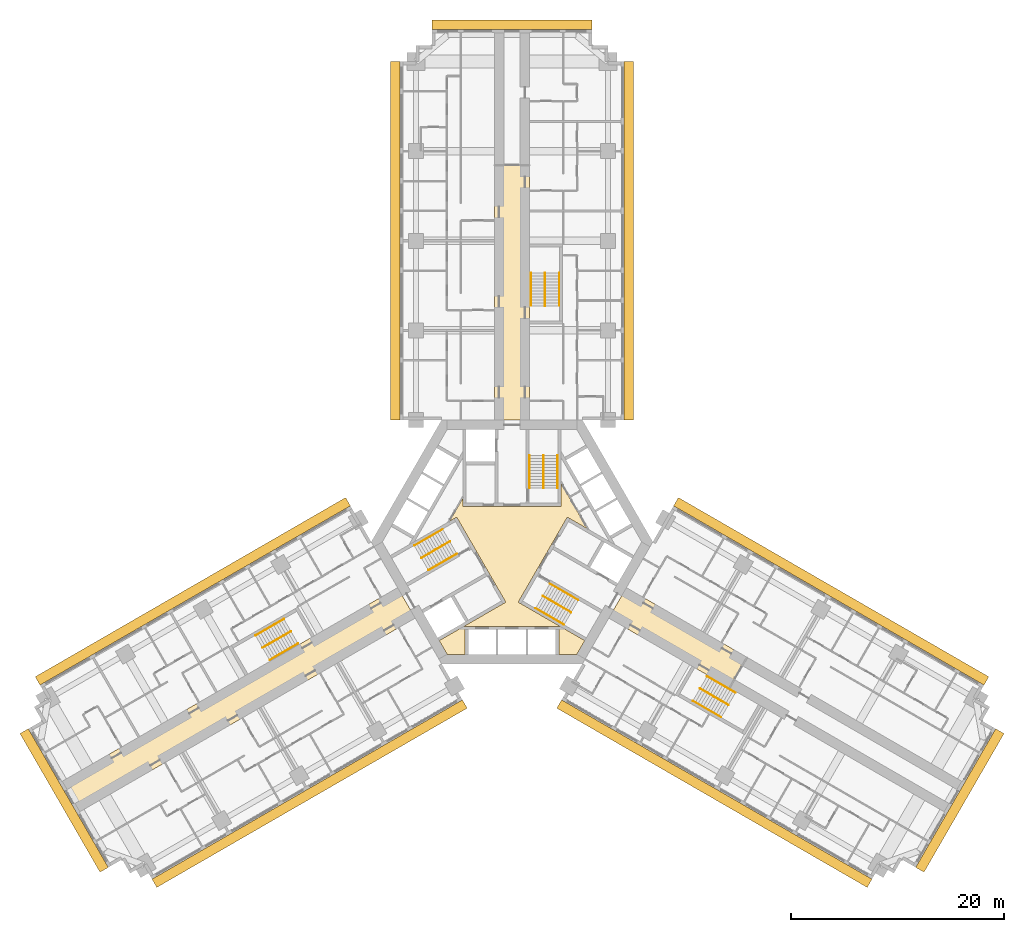
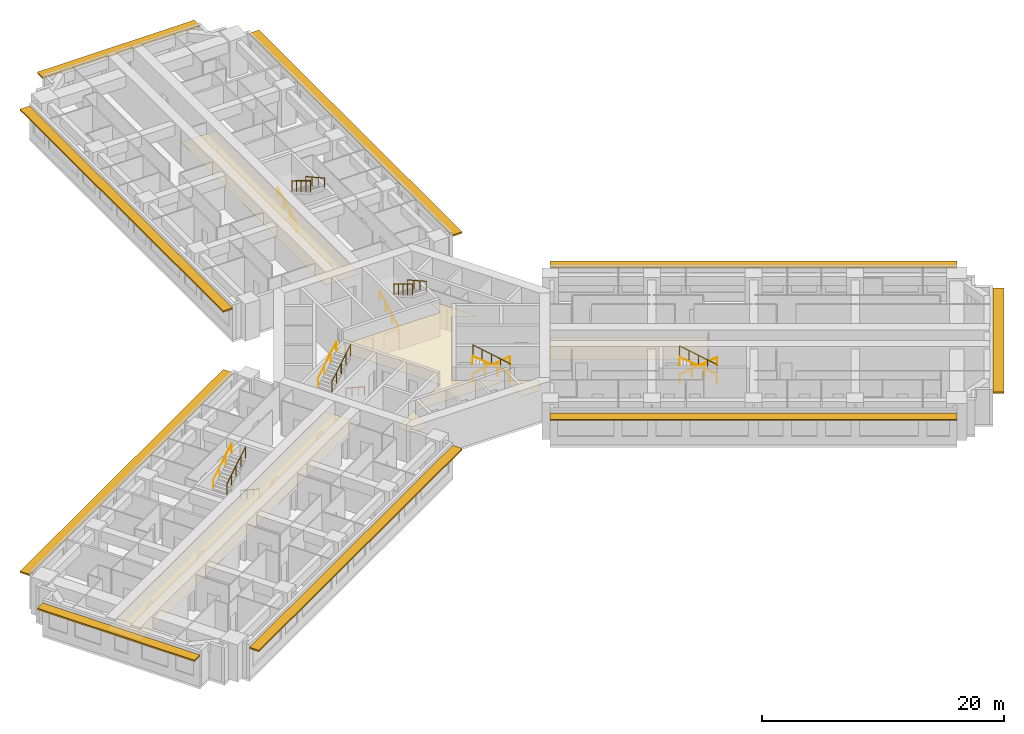
# One storey, part 15 of 15: 18 railings, 4 coverings, 3 shading devices.
"""IFC4 building model written with IfcOpenShell, lengths in metres."""

import ifcopenshell
import ifcopenshell.guid

model = None  # the IFC model being written
_history = None  # IfcOwnerHistory: only IFC2X3 demands one
_inside = {}  # id of a spatial element -> (the spatial element, [elements in it])
_under = {}  # id of a project, library or spatial element -> (it, [spatial elements below it])
_declared = {}  # id of a project -> (the project, [libraries it declares])
_typed = {}  # id of a type object -> (the type object, [elements of that type])
_made_of = {}  # id of a material, layer set ... -> (it, [elements and type objects made of it])


def new_model(schema):
    """Start an empty IFC model of exactly this schema.

    Asked for "IFC4X3", IfcOpenShell would pick the latest addendum, in which some entities
    have other attributes; the version numbers below select the first issue.
    IFC2X3 requires an IfcOwnerHistory on every rooted entity: one is made here for all.
    """
    global model, _history
    if schema == "IFC4X3":
        model = ifcopenshell.file(schema_version=(4, 3, 0, 0))
    else:
        model = ifcopenshell.file(schema=schema)
    _inside.clear()
    _under.clear()
    _declared.clear()
    _typed.clear()
    _made_of.clear()
    _history = None
    if model.schema == "IFC2X3":
        org = make("IfcOrganization", Name="unknown")
        user = make(
            "IfcPersonAndOrganization",
            ThePerson=make("IfcPerson", FamilyName="unknown"),
            TheOrganization=org,
        )
        app = make(
            "IfcApplication",
            ApplicationDeveloper=org,
            Version="unknown",
            ApplicationFullName="unknown",
            ApplicationIdentifier="unknown",
        )
        _history = make(
            "IfcOwnerHistory",
            OwningUser=user,
            OwningApplication=app,
            ChangeAction="ADDED",
            CreationDate=0,
        )
    return model


def make(cls, **values):
    """One entity of the class cls with the attributes given. An attribute that is None is left unset."""
    return model.create_entity(
        cls, **{name: value for name, value in values.items() if value is not None}
    )


def rooted(cls, **values):
    """An entity with a GlobalId (a new one), such as an element, a storey or a relation."""
    return make(cls, GlobalId=ifcopenshell.guid.new(), OwnerHistory=_history, **values)


def si_unit(unit_type, name, prefix=None):
    """IfcSIUnit, for example si_unit("LENGTHUNIT", "METRE", prefix="MILLI")."""
    return make("IfcSIUnit", UnitType=unit_type, Prefix=prefix, Name=name)


def assignment(units):
    """IfcUnitAssignment: the units of a project."""
    return None if units is None else make("IfcUnitAssignment", Units=units)


def point(xyz):
    """IfcCartesianPoint."""
    return None if xyz is None else make("IfcCartesianPoint", Coordinates=xyz)


def direction(xyz):
    """IfcDirection."""
    return None if xyz is None else make("IfcDirection", DirectionRatios=xyz)


def frame(location, z_axis=None, x_axis=None):
    """IfcAxis2Placement3D, a coordinate frame: its origin and axes. An axis left out is left unset."""
    return make(
        "IfcAxis2Placement3D",
        Location=point(location),
        Axis=direction(z_axis),
        RefDirection=direction(x_axis),
    )


def frame_2d(location, x_axis=None):
    """IfcAxis2Placement2D, a coordinate frame in the plane: its origin and x axis."""
    return make(
        "IfcAxis2Placement2D", Location=point(location), RefDirection=direction(x_axis)
    )


def origin():
    """The frame at (0, 0, 0) with its axes left unset."""
    return frame((0.0, 0.0, 0.0))


def origin_2d():
    """The frame at (0, 0) in the plane with its x axis left unset."""
    return frame_2d((0.0, 0.0))


def place(relative_to, where):
    """IfcLocalPlacement: puts the frame where relative to a parent placement (None: the world)."""
    return make(
        "IfcLocalPlacement", PlacementRelTo=relative_to, RelativePlacement=where
    )


def context(
    kind, dimensions, precision=None, world=None, true_north=None, identifier=None
):
    """IfcGeometricRepresentationContext, for example the 3D "Model" context."""
    return make(
        "IfcGeometricRepresentationContext",
        ContextIdentifier=identifier,
        ContextType=kind,
        CoordinateSpaceDimension=dimensions,
        Precision=precision,
        WorldCoordinateSystem=world,
        TrueNorth=true_north,
    )


def subcontext(parent, identifier, kind, view, scale=None):
    """IfcGeometricRepresentationSubContext, for example "Body" below "Model"."""
    return make(
        "IfcGeometricRepresentationSubContext",
        ContextIdentifier=identifier,
        ContextType=kind,
        ParentContext=parent,
        TargetScale=scale,
        TargetView=view,
    )


def project(units=None, contexts=None):
    """IfcProject with its units and contexts."""
    return rooted(
        "IfcProject",
        Name="project",
        RepresentationContexts=contexts,
        UnitsInContext=assignment(units),
    )


def spatial(cls, under=None, at=None, **own):
    """A site, building, storey or space (cls), placed at a placement, below another one or the project."""
    s = rooted(cls, ObjectPlacement=at, **own)
    if under is not None:
        _under.setdefault(under.id(), (under, []))[1].append(s)
    return s


def polyline(points):
    """IfcPolyline through the points."""
    return make("IfcPolyline", Points=[point(p) for p in points])


def profile(cls, at=None, kind="AREA", **sizes):
    """A parametric profile (cls). Its sizes go by their IFC names, for example OverallWidth=200.0."""
    return make(cls, ProfileType=kind, Position=at, **sizes)


def rectangle(**sizes):
    """IfcRectangleProfileDef."""
    return profile("IfcRectangleProfileDef", **sizes)


def circle(**sizes):
    """IfcCircleProfileDef."""
    return profile("IfcCircleProfileDef", **sizes)


def outline(outer, holes=None, kind="AREA"):
    """IfcArbitraryClosedProfileDef: a profile drawn as a closed curve; with holes, ...WithVoids."""
    if holes is None:
        return make("IfcArbitraryClosedProfileDef", ProfileType=kind, OuterCurve=outer)
    return make(
        "IfcArbitraryProfileDefWithVoids",
        ProfileType=kind,
        OuterCurve=outer,
        InnerCurves=holes,
    )


def extrude(swept, where, along, depth):
    """IfcExtrudedAreaSolid: the profile swept, set in the frame where, extruded along a direction by depth."""
    return make(
        "IfcExtrudedAreaSolid",
        SweptArea=swept,
        Position=where,
        ExtrudedDirection=direction(along),
        Depth=depth,
    )


def shape(context_of_items, identifier, shape_type, items):
    """IfcShapeRepresentation: the items that make up one representation, for example the "Body"."""
    return make(
        "IfcShapeRepresentation",
        ContextOfItems=context_of_items,
        RepresentationIdentifier=identifier,
        RepresentationType=shape_type,
        Items=items,
    )


def material(Name=None, Category=None):
    """IfcMaterial."""
    return make("IfcMaterial", Name=Name, Category=Category)


def layer(
    of_material, thickness, ventilated=None, Name=None, Category=None, Priority=None
):
    """IfcMaterialLayer: one layer of a wall or slab, of a material (None: an air gap)."""
    return make(
        "IfcMaterialLayer",
        Material=of_material,
        LayerThickness=thickness,
        IsVentilated=ventilated,
        Name=Name,
        Category=Category,
        Priority=Priority,
    )


def layer_set(layers, Name=None):
    """IfcMaterialLayerSet."""
    return make("IfcMaterialLayerSet", MaterialLayers=layers, LayerSetName=Name)


def made_of(thing, what):
    """Note that an element or type object is made of a material, layer set ...; save() writes the relation."""
    if what is not None:
        _made_of.setdefault(what.id(), (what, []))[1].append(thing)
    return thing


def type_object(cls, material=None, **own):
    """A type object (cls), such as IfcWallType, which elements share."""
    return made_of(rooted(cls, **own), material)


def element(
    cls,
    number,
    at=None,
    inside=None,
    cuts=None,
    type_object=None,
    material=None,
    context=None,
    identifier="Body",
    shape_type=None,
    held_by="IfcProductDefinitionShape",
    body=None,
    shapes=None,
    **own,
):
    """One element of the class cls, such as IfcWall. Its Tag is "e" and its number.

    at: its placement. inside: the storey or other place that contains it. cuts: it is an
    opening in that element (IfcRelVoidsElement). A single representation is given by context,
    identifier, shape_type and body (its items); several are given by shapes. held_by: the class
    of the entity that holds the representations. save() writes the other relations.
    """
    e = rooted(cls, Tag="e%d" % number, ObjectPlacement=at, **own)
    if body is not None:
        shapes = [shape(context, identifier, shape_type, body)]
    if shapes is not None:
        e.Representation = make(held_by, Representations=shapes)
    if inside is not None:
        _inside.setdefault(inside.id(), (inside, []))[1].append(e)
    if cuts is not None:
        rooted(
            "IfcRelVoidsElement", RelatingBuildingElement=cuts, RelatedOpeningElement=e
        )
    if type_object is not None:
        _typed.setdefault(type_object.id(), (type_object, []))[1].append(e)
    return made_of(e, material)


def aggregate(whole, parts):
    """IfcRelAggregates: a whole, such as a stair, and the parts it consists of."""
    return rooted("IfcRelAggregates", RelatingObject=whole, RelatedObjects=parts)


def save(model, path):
    """Write the relations noted so far, then the file.

    IfcRelAggregates (storeys below a building ...), IfcRelContainedInSpatialStructure (elements
    in a storey), IfcRelDefinesByType, IfcRelAssociatesMaterial and IfcRelDeclares: one each for
    every whole, place, type object, material and project.
    """
    for whole, parts in _under.values():
        aggregate(whole, parts)
    for where, things in _inside.values():
        rooted(
            "IfcRelContainedInSpatialStructure",
            RelatedElements=things,
            RelatingStructure=where,
        )
    for kind, things in _typed.values():
        rooted("IfcRelDefinesByType", RelatedObjects=things, RelatingType=kind)
    for what, things in _made_of.values():
        rooted("IfcRelAssociatesMaterial", RelatedObjects=things, RelatingMaterial=what)
    for by, libraries in _declared.values():
        rooted("IfcRelDeclares", RelatingContext=by, RelatedDefinitions=libraries)
    model.write(path)


model = new_model("IFC4")

# Units and contexts
model_context = context("Model", 3, precision=1e-05, world=origin(), true_north=direction((0.0, 1.0)))
body_context = subcontext(model_context, "Body", "Model", "MODEL_VIEW")
ifc_project = project(units=[si_unit("LENGTHUNIT", "METRE"), si_unit("AREAUNIT", "SQUARE_METRE"), si_unit("VOLUMEUNIT", "CUBIC_METRE"), si_unit("PLANEANGLEUNIT", "RADIAN"), si_unit("MASSUNIT", "GRAM", prefix="KILO")], contexts=[model_context])

# Site, building, storey
site_placement = place(None, origin())
site = spatial("IfcSite", under=ifc_project, at=site_placement, CompositionType="ELEMENT")
building_placement = place(site_placement, origin())
building = spatial("IfcBuilding", under=site, at=building_placement, Name="Impinga Residences", CompositionType="ELEMENT")
storey_placement = place(building_placement, frame((0.0, 0.0, 86.0)))
storey = spatial("IfcBuildingStorey", under=building, at=storey_placement, Name="L21", CompositionType="ELEMENT", Elevation=86.0)

# Coverings
ifc_material_1 = material(Name="Plasterboard 15 mm on steel hangers", Category="steel")
ifc_layer_1 = layer(ifc_material_1, 0.014892578125)
ifc_layer_set_1 = layer_set([ifc_layer_1], Name="Plasterboard 15 mm on steel hangers")
covering_type_1 = type_object("IfcCoveringType", Name="CL1 corridor ceiling, 15 mm plasterboard on hangers", PredefinedType="CEILING", material=ifc_layer_set_1)
covering_1_placement = place(storey_placement, frame((0.0, 0.0, 2.39990234375)))
element("IfcCovering", 1, at=covering_1_placement, inside=storey, type_object=covering_type_1, Name="Corridor ceiling CL1 L21-N00", PredefinedType="CEILING", context=body_context, shape_type="SweptSolid", body=[
    extrude(outline(polyline([(1.64990234375, 11.431640625), (-1.64990234375, 11.431640625), (-1.64990234375, 35.281982421875), (1.64990234375, 35.281982421875), (1.64990234375, 11.431640625)])), origin(), (0.0, 0.0, 1.0), 0.01513671875),
])
covering_2_placement = place(storey_placement, frame((0.0, 0.0, 2.39990234375)))
element("IfcCovering", 2, at=covering_2_placement, inside=storey, type_object=covering_type_1, Name="Corridor ceiling CL1 L21-W00", PredefinedType="CEILING", context=body_context, shape_type="SweptSolid", body=[
    extrude(outline(polyline([(-9.074951171875, -7.144775390625), (-10.72509765625, -4.286865234375), (-42.16162109375, -22.436767578125), (-40.51171875, -25.294677734375), (-9.074951171875, -7.144775390625)])), origin(), (0.0, 0.0, 1.0), 0.01513671875),
])
covering_3_placement = place(storey_placement, frame((0.0, 0.0, 2.39990234375)))
element("IfcCovering", 3, at=covering_3_placement, inside=storey, type_object=covering_type_1, Name="Corridor ceiling CL1 L21-E00", PredefinedType="CEILING", context=body_context, shape_type="SweptSolid", body=[
    extrude(outline(polyline([(9.074951171875, -7.144775390625), (10.72509765625, -4.286865234375), (21.999267578125, -10.796142578125), (20.349365234375, -13.654052734375), (9.074951171875, -7.144775390625)])), origin(), (0.0, 0.0, 1.0), 0.01513671875),
])
ifc_material_2 = material(Name="Mineral fibre tiles 20 mm on exposed grid", Category="mineral fibre")
ifc_layer_2 = layer(ifc_material_2, 0.02001953125)
ifc_layer_set_2 = layer_set([ifc_layer_2], Name="CL2 lift lobby ceiling, 20 mm mineral fibre tiles")
covering_type_2 = type_object("IfcCoveringType", Name="CL2 lift lobby ceiling, 20 mm mineral fibre tiles", PredefinedType="CEILING", material=ifc_layer_set_2)
covering_4_placement = place(storey_placement, frame((0.0, 0.0, 2.39990234375)))
element("IfcCovering", 4, at=covering_4_placement, inside=storey, type_object=covering_type_2, Name="Lift lobby ceiling CL2 L21-C01", PredefinedType="CEILING", context=body_context, shape_type="SweptSolid", body=[
    extrude(outline(polyline([(6.080322265625, -10.531494140625), (4.39990234375, -10.531494140625), (4.39990234375, -7.931640625), (-4.39990234375, -7.931640625), (-4.39990234375, -10.531494140625), (-6.080322265625, -10.531494140625), (-6.820556640625, -9.24951171875), (-0.583984375, -5.648681640625), (-5.183837890625, 2.318603515625), (-5.846923828125, 1.935791015625), (-4.60009765625, 4.095703125), (-4.60009765625, 3.330078125), (4.60009765625, 3.330078125), (4.60009765625, 5.49560546875), (7.059326171875, 1.23583984375), (5.183837890625, 2.318603515625), (0.583984375, -5.648681640625), (6.820556640625, -9.24951171875), (6.080322265625, -10.531494140625)])), origin(), (0.0, 0.0, 1.0), 0.02001953125),
])

# Railings
ifc_material_3 = material(Name="Steel guard, powder coated", Category="steel")
railing_type_1 = type_object("IfcRailingType", Name="GR1 stair guard 1100", PredefinedType="GUARDRAIL", material=ifc_material_3)
railing_1_placement = place(storey_placement, frame((2.949951171875, 8.110107421875, 1.875)))
element("IfcRailing", 5, at=railing_1_placement, inside=storey, type_object=railing_type_1, Name="Stair guard GR1 ST1 L21", PredefinedType="GUARDRAIL", context=body_context, shape_type="SweptSolid", body=[
    extrude(circle(Radius=0.02392578125, at=origin_2d()), frame((0.0, 0.0, 1.076171875), z_axis=(0.0, -0.854177636135, 0.519981313056), x_axis=(1.0, 0.0, 0.0)), (0.0, 0.0, 1.0), 3.60595703125),
    extrude(circle(Radius=0.02099609375, at=origin_2d()), origin(), (0.0, 0.0, 1.0), 1.052001953125),
    extrude(circle(Radius=0.02099609375, at=origin_2d()), frame((0.0, -0.77001953125, 0.46875)), (0.0, 0.0, 1.0), 1.052001953125),
    extrude(circle(Radius=0.02099609375, at=origin_2d()), frame((0.0, -1.5400390625, 0.9375)), (0.0, 0.0, 1.0), 1.052001953125),
    extrude(circle(Radius=0.02099609375, at=origin_2d()), frame((0.0, -2.31005859375, 1.40625)), (0.0, 0.0, 1.0), 1.052001953125),
    extrude(circle(Radius=0.02099609375, at=origin_2d()), frame((0.0, -3.080078125, 1.875)), (0.0, 0.0, 1.0), 1.052001953125),
])
railing_2_placement = place(storey_placement, frame((-8.49853515625, -1.500244140625, 1.875)))
element("IfcRailing", 6, at=railing_2_placement, inside=storey, type_object=railing_type_1, Name="Stair guard GR1 ST2 L21", PredefinedType="GUARDRAIL", context=body_context, shape_type="SweptSolid", body=[
    extrude(circle(Radius=0.02392578125, at=origin_2d()), frame((0.0, 0.0, 1.076171875), z_axis=(0.739746383972, 0.427084037168, 0.519975492303), x_axis=(-0.499992328818, 0.866029832698, 0.0)), (0.0, 0.0, 1.0), 3.60595703125),
    extrude(circle(Radius=0.02099609375, at=origin_2d()), origin(), (0.0, 0.0, 1.0), 1.052001953125),
    extrude(circle(Radius=0.02099609375, at=origin_2d()), frame((0.6669921875, 0.385009765625, 0.46875)), (0.0, 0.0, 1.0), 1.052001953125),
    extrude(circle(Radius=0.02099609375, at=origin_2d()), frame((1.333740234375, 0.77001953125, 0.9375)), (0.0, 0.0, 1.0), 1.052001953125),
    extrude(circle(Radius=0.02099609375, at=origin_2d()), frame((2.00048828125, 1.155029296875, 1.40625)), (0.0, 0.0, 1.0), 1.052001953125),
    extrude(circle(Radius=0.02099609375, at=origin_2d()), frame((2.66748046875, 1.5400390625, 1.875)), (0.0, 0.0, 1.0), 1.052001953125),
])
railing_3_placement = place(storey_placement, frame((5.548583984375, -6.60986328125, 1.875)))
element("IfcRailing", 7, at=railing_3_placement, inside=storey, type_object=railing_type_1, Name="Stair guard GR1 ST3 L21", PredefinedType="GUARDRAIL", context=body_context, shape_type="SweptSolid", body=[
    extrude(circle(Radius=0.02392578125, at=origin_2d()), frame((0.0, 0.0, 1.076171875), z_axis=(-0.739746383972, 0.427084037168, 0.519975492303), x_axis=(-0.499992328818, -0.866029832698, 0.0)), (0.0, 0.0, 1.0), 3.60595703125),
    extrude(circle(Radius=0.02099609375, at=origin_2d()), origin(), (0.0, 0.0, 1.0), 1.052001953125),
    extrude(circle(Radius=0.02099609375, at=origin_2d()), frame((-0.6669921875, 0.385009765625, 0.46875)), (0.0, 0.0, 1.0), 1.052001953125),
    extrude(circle(Radius=0.02099609375, at=origin_2d()), frame((-1.333740234375, 0.77001953125, 0.9375)), (0.0, 0.0, 1.0), 1.052001953125),
    extrude(circle(Radius=0.02099609375, at=origin_2d()), frame((-2.00048828125, 1.155029296875, 1.40625)), (0.0, 0.0, 1.0), 1.052001953125),
    extrude(circle(Radius=0.02099609375, at=origin_2d()), frame((-2.66748046875, 1.5400390625, 1.875)), (0.0, 0.0, 1.0), 1.052001953125),
])
railing_4_placement = place(storey_placement, frame((3.10009765625, 25.21142578125, 1.875)))
element("IfcRailing", 8, at=railing_4_placement, inside=storey, type_object=railing_type_1, Name="Stair guard GR1 WS1 L21", PredefinedType="GUARDRAIL", context=body_context, shape_type="SweptSolid", body=[
    extrude(circle(Radius=0.02392578125, at=origin_2d()), frame((0.0, 0.0, 1.076171875), z_axis=(0.0, -0.854159328187, 0.520011386482), x_axis=(1.0, 0.0, 0.0)), (0.0, 0.0, 1.0), 3.605712890625),
    extrude(circle(Radius=0.02099609375, at=origin_2d()), origin(), (0.0, 0.0, 1.0), 1.052001953125),
    extrude(circle(Radius=0.02099609375, at=origin_2d()), frame((0.0, -0.77001953125, 0.46875)), (0.0, 0.0, 1.0), 1.052001953125),
    extrude(circle(Radius=0.02099609375, at=origin_2d()), frame((0.0, -1.5400390625, 0.9375)), (0.0, 0.0, 1.0), 1.052001953125),
    extrude(circle(Radius=0.02099609375, at=origin_2d()), frame((0.0, -2.309814453125, 1.40625)), (0.0, 0.0, 1.0), 1.052001953125),
    extrude(circle(Radius=0.02099609375, at=origin_2d()), frame((0.0, -3.079833984375, 1.875)), (0.0, 0.0, 1.0), 1.052001953125),
])
railing_5_placement = place(storey_placement, frame((-23.3837890625, -9.921142578125, 1.875)))
element("IfcRailing", 9, at=railing_5_placement, inside=storey, type_object=railing_type_1, Name="Stair guard GR1 WS2 L21", PredefinedType="GUARDRAIL", context=body_context, shape_type="SweptSolid", body=[
    extrude(circle(Radius=0.02392578125, at=origin_2d()), frame((0.0, 0.0, 1.076171875), z_axis=(0.739715726454, 0.427105428144, 0.52000153585), x_axis=(-0.500026652407, 0.866010015463, 0.0)), (0.0, 0.0, 1.0), 3.605712890625),
    extrude(circle(Radius=0.02099609375, at=origin_2d()), origin(), (0.0, 0.0, 1.0), 1.052001953125),
    extrude(circle(Radius=0.02099609375, at=origin_2d()), frame((0.666748046875, 0.385009765625, 0.46875)), (0.0, 0.0, 1.0), 1.052001953125),
    extrude(circle(Radius=0.02099609375, at=origin_2d()), frame((1.33349609375, 0.77001953125, 0.9375)), (0.0, 0.0, 1.0), 1.052001953125),
    extrude(circle(Radius=0.02099609375, at=origin_2d()), frame((2.00048828125, 1.155029296875, 1.40625)), (0.0, 0.0, 1.0), 1.052001953125),
    extrude(circle(Radius=0.02099609375, at=origin_2d()), frame((2.667236328125, 1.5400390625, 1.875)), (0.0, 0.0, 1.0), 1.052001953125),
])
railing_6_placement = place(storey_placement, frame((20.283935546875, -15.29052734375, 1.875)))
element("IfcRailing", 10, at=railing_6_placement, inside=storey, type_object=railing_type_1, Name="Stair guard GR1 WS3 L21", PredefinedType="GUARDRAIL", context=body_context, shape_type="SweptSolid", body=[
    extrude(circle(Radius=0.02392578125, at=origin_2d()), frame((0.0, 0.0, 1.076171875), z_axis=(-0.739746383972, 0.427084037168, 0.519975492303), x_axis=(-0.499992328818, -0.866029832698, 0.0)), (0.0, 0.0, 1.0), 3.60595703125),
    extrude(circle(Radius=0.02099609375, at=origin_2d()), origin(), (0.0, 0.0, 1.0), 1.052001953125),
    extrude(circle(Radius=0.02099609375, at=origin_2d()), frame((-0.6669921875, 0.385009765625, 0.46875)), (0.0, 0.0, 1.0), 1.052001953125),
    extrude(circle(Radius=0.02099609375, at=origin_2d()), frame((-1.333740234375, 0.77001953125, 0.9375)), (0.0, 0.0, 1.0), 1.052001953125),
    extrude(circle(Radius=0.02099609375, at=origin_2d()), frame((-2.00048828125, 1.155029296875, 1.40625)), (0.0, 0.0, 1.0), 1.052001953125),
    extrude(circle(Radius=0.02099609375, at=origin_2d()), frame((-2.66748046875, 1.5400390625, 1.875)), (0.0, 0.0, 1.0), 1.052001953125),
])
ifc_material_4 = material(Name="Steel handrail tube 42 mm, powder coated", Category="steel")
railing_type_2 = type_object("IfcRailingType", Name="HR1 stair handrail, 42 mm steel tube, 900 above the pitch line", PredefinedType="HANDRAIL", material=ifc_material_4)
railing_7_placement = place(storey_placement, frame((1.62109375, 5.030029296875, 0.15625)))
element("IfcRailing", 11, at=railing_7_placement, inside=storey, type_object=railing_type_2, Name="Stair handrail HR1 ST1 L21", PredefinedType="HANDRAIL", context=body_context, shape_type="SweptSolid", body=[
    extrude(circle(Radius=0.02099609375, at=origin_2d()), frame((0.0, 0.0, 0.87890625), z_axis=(0.0, 0.873241540666, 0.487287606713), x_axis=(-1.0, 0.0, 0.0)), (0.0, 0.0, 1.0), 3.527099609375),
    extrude(circle(Radius=0.012451171875, at=origin_2d()), origin(), (0.0, 0.0, 1.0), 0.85791015625),
    extrude(circle(Radius=0.012451171875, at=origin_2d()), frame((0.0, 1.026611328125, 0.572998046875)), (0.0, 0.0, 1.0), 0.85791015625),
    extrude(circle(Radius=0.012451171875, at=origin_2d()), frame((0.0, 2.053466796875, 1.145751953125)), (0.0, 0.0, 1.0), 0.85791015625),
    extrude(circle(Radius=0.012451171875, at=origin_2d()), frame((0.0, 3.080078125, 1.71875)), (0.0, 0.0, 1.0), 0.85791015625),
])
railing_8_placement = place(storey_placement, frame((4.279052734375, 8.110107421875, 2.03125)))
element("IfcRailing", 12, at=railing_8_placement, inside=storey, type_object=railing_type_2, Name="Stair handrail HR1 ST1 L21", PredefinedType="HANDRAIL", context=body_context, shape_type="SweptSolid", body=[
    extrude(circle(Radius=0.02099609375, at=origin_2d()), frame((0.0, 0.0, 0.87890625), z_axis=(0.0, -0.873241540666, 0.487287606713), x_axis=(1.0, 0.0, 0.0)), (0.0, 0.0, 1.0), 3.527099609375),
    extrude(circle(Radius=0.012451171875, at=origin_2d()), origin(), (0.0, 0.0, 1.0), 0.85791015625),
    extrude(circle(Radius=0.012451171875, at=origin_2d()), frame((0.0, -1.026611328125, 0.572998046875)), (0.0, 0.0, 1.0), 0.85791015625),
    extrude(circle(Radius=0.012451171875, at=origin_2d()), frame((0.0, -2.053466796875, 1.145751953125)), (0.0, 0.0, 1.0), 0.85791015625),
    extrude(circle(Radius=0.012451171875, at=origin_2d()), frame((0.0, -3.080078125, 1.71875)), (0.0, 0.0, 1.0), 0.85791015625),
])
railing_9_placement = place(storey_placement, frame((-5.16650390625, -1.111083984375, 0.15625)))
element("IfcRailing", 13, at=railing_9_placement, inside=storey, type_object=railing_type_2, Name="Stair handrail HR1 ST2 L21", PredefinedType="HANDRAIL", context=body_context, shape_type="SweptSolid", body=[
    extrude(circle(Radius=0.02099609375, at=origin_2d()), frame((0.0, 0.0, 0.87890625), z_axis=(-0.756255980417, -0.436615662133, 0.487281905742), x_axis=(0.499992328818, -0.866029832698, 0.0)), (0.0, 0.0, 1.0), 3.527099609375),
    extrude(circle(Radius=0.012451171875, at=origin_2d()), origin(), (0.0, 0.0, 1.0), 0.85791015625),
    extrude(circle(Radius=0.012451171875, at=origin_2d()), frame((-0.88916015625, -0.513427734375, 0.572998046875)), (0.0, 0.0, 1.0), 0.85791015625),
    extrude(circle(Radius=0.012451171875, at=origin_2d()), frame((-1.7783203125, -1.026611328125, 1.145751953125)), (0.0, 0.0, 1.0), 0.85791015625),
    extrude(circle(Radius=0.012451171875, at=origin_2d()), frame((-2.66748046875, -1.5400390625, 1.71875)), (0.0, 0.0, 1.0), 0.85791015625),
])
railing_10_placement = place(storey_placement, frame((-9.1630859375, -0.349365234375, 2.03125)))
element("IfcRailing", 14, at=railing_10_placement, inside=storey, type_object=railing_type_2, Name="Stair handrail HR1 ST2 L21", PredefinedType="HANDRAIL", context=body_context, shape_type="SweptSolid", body=[
    extrude(circle(Radius=0.02099609375, at=origin_2d()), frame((0.0, 0.0, 0.87890625), z_axis=(0.756255980417, 0.436615662133, 0.487281905742), x_axis=(-0.499992328818, 0.866029832698, 0.0)), (0.0, 0.0, 1.0), 3.527099609375),
    extrude(circle(Radius=0.012451171875, at=origin_2d()), origin(), (0.0, 0.0, 1.0), 0.85791015625),
    extrude(circle(Radius=0.012451171875, at=origin_2d()), frame((0.88916015625, 0.513427734375, 0.572998046875)), (0.0, 0.0, 1.0), 0.85791015625),
    extrude(circle(Radius=0.012451171875, at=origin_2d()), frame((1.7783203125, 1.026611328125, 1.145751953125)), (0.0, 0.0, 1.0), 0.85791015625),
    extrude(circle(Radius=0.012451171875, at=origin_2d()), frame((2.66748046875, 1.5400390625, 1.71875)), (0.0, 0.0, 1.0), 0.85791015625),
])
railing_11_placement = place(storey_placement, frame((3.545654296875, -3.9189453125, 0.15625)))
element("IfcRailing", 15, at=railing_11_placement, inside=storey, type_object=railing_type_2, Name="Stair handrail HR1 ST3 L21", PredefinedType="HANDRAIL", context=body_context, shape_type="SweptSolid", body=[
    extrude(circle(Radius=0.02099609375, at=origin_2d()), frame((0.0, 0.0, 0.87890625), z_axis=(0.756249203677, -0.436582492228, 0.487322141317), x_axis=(0.499967199496, 0.866044340336, 0.0)), (0.0, 0.0, 1.0), 3.52685546875),
    extrude(circle(Radius=0.012451171875, at=origin_2d()), origin(), (0.0, 0.0, 1.0), 0.85791015625),
    extrude(circle(Radius=0.012451171875, at=origin_2d()), frame((0.88916015625, -0.51318359375, 0.572998046875)), (0.0, 0.0, 1.0), 0.85791015625),
    extrude(circle(Radius=0.012451171875, at=origin_2d()), frame((1.778076171875, -1.026611328125, 1.145751953125)), (0.0, 0.0, 1.0), 0.85791015625),
    extrude(circle(Radius=0.012451171875, at=origin_2d()), frame((2.667236328125, -1.539794921875, 1.71875)), (0.0, 0.0, 1.0), 0.85791015625),
])
railing_12_placement = place(storey_placement, frame((4.884033203125, -7.7607421875, 2.03125)))
element("IfcRailing", 16, at=railing_12_placement, inside=storey, type_object=railing_type_2, Name="Stair handrail HR1 ST3 L21", PredefinedType="HANDRAIL", context=body_context, shape_type="SweptSolid", body=[
    extrude(circle(Radius=0.02099609375, at=origin_2d()), frame((0.0, 0.0, 0.87890625), z_axis=(-0.756255980417, 0.436615662133, 0.487281905742), x_axis=(-0.499992328818, -0.866029832698, 0.0)), (0.0, 0.0, 1.0), 3.527099609375),
    extrude(circle(Radius=0.012451171875, at=origin_2d()), origin(), (0.0, 0.0, 1.0), 0.85791015625),
    extrude(circle(Radius=0.012451171875, at=origin_2d()), frame((-0.88916015625, 0.513427734375, 0.572998046875)), (0.0, 0.0, 1.0), 0.85791015625),
    extrude(circle(Radius=0.012451171875, at=origin_2d()), frame((-1.7783203125, 1.026611328125, 1.145751953125)), (0.0, 0.0, 1.0), 0.85791015625),
    extrude(circle(Radius=0.012451171875, at=origin_2d()), frame((-2.66748046875, 1.5400390625, 1.71875)), (0.0, 0.0, 1.0), 0.85791015625),
])
railing_13_placement = place(storey_placement, frame((1.77099609375, 22.131591796875, 0.15625)))
element("IfcRailing", 17, at=railing_13_placement, inside=storey, type_object=railing_type_2, Name="Stair handrail HR1 WS1 L21", PredefinedType="HANDRAIL", context=body_context, shape_type="SweptSolid", body=[
    extrude(circle(Radius=0.02099609375, at=origin_2d()), frame((0.0, 0.0, 0.87890625), z_axis=(0.0, 0.873225103656, 0.487317061414), x_axis=(-1.0, 0.0, 0.0)), (0.0, 0.0, 1.0), 3.52685546875),
    extrude(circle(Radius=0.012451171875, at=origin_2d()), origin(), (0.0, 0.0, 1.0), 0.85791015625),
    extrude(circle(Radius=0.012451171875, at=origin_2d()), frame((0.0, 1.026611328125, 0.572998046875)), (0.0, 0.0, 1.0), 0.85791015625),
    extrude(circle(Radius=0.012451171875, at=origin_2d()), frame((0.0, 2.05322265625, 1.145751953125)), (0.0, 0.0, 1.0), 0.85791015625),
    extrude(circle(Radius=0.012451171875, at=origin_2d()), frame((0.0, 3.079833984375, 1.71875)), (0.0, 0.0, 1.0), 0.85791015625),
])
railing_14_placement = place(storey_placement, frame((4.428955078125, 25.21142578125, 2.03125)))
element("IfcRailing", 18, at=railing_14_placement, inside=storey, type_object=railing_type_2, Name="Stair handrail HR1 WS1 L21", PredefinedType="HANDRAIL", context=body_context, shape_type="SweptSolid", body=[
    extrude(circle(Radius=0.02099609375, at=origin_2d()), frame((0.0, 0.0, 0.87890625), z_axis=(0.0, -0.873225103656, 0.487317061414), x_axis=(1.0, 0.0, 0.0)), (0.0, 0.0, 1.0), 3.52685546875),
    extrude(circle(Radius=0.012451171875, at=origin_2d()), origin(), (0.0, 0.0, 1.0), 0.85791015625),
    extrude(circle(Radius=0.012451171875, at=origin_2d()), frame((0.0, -1.026611328125, 0.572998046875)), (0.0, 0.0, 1.0), 0.85791015625),
    extrude(circle(Radius=0.012451171875, at=origin_2d()), frame((0.0, -2.05322265625, 1.145751953125)), (0.0, 0.0, 1.0), 0.85791015625),
    extrude(circle(Radius=0.012451171875, at=origin_2d()), frame((0.0, -3.079833984375, 1.71875)), (0.0, 0.0, 1.0), 0.85791015625),
])
railing_15_placement = place(storey_placement, frame((-20.052001953125, -9.531982421875, 0.15625)))
element("IfcRailing", 19, at=railing_15_placement, inside=storey, type_object=railing_type_2, Name="Stair handrail HR1 WS2 L21", PredefinedType="HANDRAIL", context=body_context, shape_type="SweptSolid", body=[
    extrude(circle(Radius=0.02099609375, at=origin_2d()), frame((0.0, 0.0, 0.87890625), z_axis=(-0.756226348243, -0.436638517594, 0.487307413422), x_axis=(0.500026652407, -0.866010015463, 0.0)), (0.0, 0.0, 1.0), 3.527099609375),
    extrude(circle(Radius=0.012451171875, at=origin_2d()), origin(), (0.0, 0.0, 1.0), 0.85791015625),
    extrude(circle(Radius=0.012451171875, at=origin_2d()), frame((-0.88916015625, -0.513427734375, 0.572998046875)), (0.0, 0.0, 1.0), 0.85791015625),
    extrude(circle(Radius=0.012451171875, at=origin_2d()), frame((-1.778076171875, -1.026611328125, 1.145751953125)), (0.0, 0.0, 1.0), 0.85791015625),
    extrude(circle(Radius=0.012451171875, at=origin_2d()), frame((-2.667236328125, -1.5400390625, 1.71875)), (0.0, 0.0, 1.0), 0.85791015625),
])
railing_16_placement = place(storey_placement, frame((-24.04833984375, -8.77001953125, 2.03125)))
element("IfcRailing", 20, at=railing_16_placement, inside=storey, type_object=railing_type_2, Name="Stair handrail HR1 WS2 L21", PredefinedType="HANDRAIL", context=body_context, shape_type="SweptSolid", body=[
    extrude(circle(Radius=0.02099609375, at=origin_2d()), frame((0.0, 0.0, 0.87890625), z_axis=(0.756278834354, 0.436559638319, 0.487296631324), x_axis=(-0.499932877268, 0.866064153644, 0.0)), (0.0, 0.0, 1.0), 3.527099609375),
    extrude(circle(Radius=0.012451171875, at=origin_2d()), origin(), (0.0, 0.0, 1.0), 0.85791015625),
    extrude(circle(Radius=0.012451171875, at=origin_2d()), frame((0.88916015625, 0.51318359375, 0.572998046875)), (0.0, 0.0, 1.0), 0.85791015625),
    extrude(circle(Radius=0.012451171875, at=origin_2d()), frame((1.7783203125, 1.026611328125, 1.145751953125)), (0.0, 0.0, 1.0), 0.85791015625),
    extrude(circle(Radius=0.012451171875, at=origin_2d()), frame((2.66748046875, 1.539794921875, 1.71875)), (0.0, 0.0, 1.0), 0.85791015625),
])
railing_17_placement = place(storey_placement, frame((18.281005859375, -12.599609375, 0.15625)))
element("IfcRailing", 21, at=railing_17_placement, inside=storey, type_object=railing_type_2, Name="Stair handrail HR1 WS3 L21", PredefinedType="HANDRAIL", context=body_context, shape_type="SweptSolid", body=[
    extrude(circle(Radius=0.02099609375, at=origin_2d()), frame((0.0, 0.0, 0.87890625), z_axis=(0.756249203677, -0.436582492228, 0.487322141317), x_axis=(0.499967199496, 0.866044340336, 0.0)), (0.0, 0.0, 1.0), 3.52685546875),
    extrude(circle(Radius=0.012451171875, at=origin_2d()), origin(), (0.0, 0.0, 1.0), 0.85791015625),
    extrude(circle(Radius=0.012451171875, at=origin_2d()), frame((0.88916015625, -0.51318359375, 0.572998046875)), (0.0, 0.0, 1.0), 0.85791015625),
    extrude(circle(Radius=0.012451171875, at=origin_2d()), frame((1.778076171875, -1.026611328125, 1.145751953125)), (0.0, 0.0, 1.0), 0.85791015625),
    extrude(circle(Radius=0.012451171875, at=origin_2d()), frame((2.667236328125, -1.539794921875, 1.71875)), (0.0, 0.0, 1.0), 0.85791015625),
])
railing_18_placement = place(storey_placement, frame((19.619384765625, -16.44140625, 2.03125)))
element("IfcRailing", 22, at=railing_18_placement, inside=storey, type_object=railing_type_2, Name="Stair handrail HR1 WS3 L21", PredefinedType="HANDRAIL", context=body_context, shape_type="SweptSolid", body=[
    extrude(circle(Radius=0.02099609375, at=origin_2d()), frame((0.0, 0.0, 0.87890625), z_axis=(-0.756255980417, 0.436615662133, 0.487281905742), x_axis=(-0.499992328818, -0.866029832698, 0.0)), (0.0, 0.0, 1.0), 3.527099609375),
    extrude(circle(Radius=0.012451171875, at=origin_2d()), origin(), (0.0, 0.0, 1.0), 0.85791015625),
    extrude(circle(Radius=0.012451171875, at=origin_2d()), frame((-0.88916015625, 0.513427734375, 0.572998046875)), (0.0, 0.0, 1.0), 0.85791015625),
    extrude(circle(Radius=0.012451171875, at=origin_2d()), frame((-1.7783203125, 1.026611328125, 1.145751953125)), (0.0, 0.0, 1.0), 0.85791015625),
    extrude(circle(Radius=0.012451171875, at=origin_2d()), frame((-2.66748046875, 1.5400390625, 1.71875)), (0.0, 0.0, 1.0), 0.85791015625),
])

# Shading devices
ifc_material_5 = material(Name="Terracotta sunshade blades on aluminium brackets", Category="masonry")
ifc_layer_3 = layer(ifc_material_5, 0.14990234375)
ifc_layer_set_3 = layer_set([ifc_layer_3], Name="SS1 SUNSHADE terracotta sunshade band 900")
shading_device_type = type_object("IfcShadingDeviceType", Name="SS1 SUNSHADE terracotta sunshade band 900", PredefinedType="USERDEFINED", material=ifc_layer_set_3)
shading_device_1_placement = place(storey_placement, frame((-10.949951171875, 28.2314453125, 3.10009765625), z_axis=(0.0, 0.0, 1.0), x_axis=(0.0, 1.0, 0.0)))
element("IfcShadingDevice", 23, at=shading_device_1_placement, inside=storey, type_object=shading_device_type, Name="SUNSHADE band L21 NORTH WING", ObjectType="SUNSHADE", PredefinedType="USERDEFINED", context=body_context, shape_type="SweptSolid", body=[
    extrude(rectangle(XDim=33.60009765625, YDim=0.89990234375, at=origin_2d()), origin(), (0.0, 0.0, 1.0), 0.14990234375),
    extrude(rectangle(XDim=15.0, YDim=0.89990234375, at=origin_2d()), frame((20.25, -10.949951171875, 0.0), z_axis=(0.0, 0.0, 1.0), x_axis=(0.0, -1.0, 0.0)), (0.0, 0.0, 1.0), 0.14990234375),
    extrude(rectangle(XDim=33.60009765625, YDim=0.89990234375, at=origin_2d()), frame((0.0, -21.89990234375, 0.0), z_axis=(0.0, 0.0, 1.0), x_axis=(-1.0, 0.0, 0.0)), (0.0, 0.0, 1.0), 0.14990234375),
])
shading_device_2_placement = place(storey_placement, frame((-41.986328125, -24.24072265625, 3.10009765625), z_axis=(0.0, 0.0, 1.0), x_axis=(-0.5, 0.866025403784, 0.0)))
element("IfcShadingDevice", 24, at=shading_device_2_placement, inside=storey, type_object=shading_device_type, Name="SUNSHADE band L21 WEST WING", ObjectType="SUNSHADE", PredefinedType="USERDEFINED", context=body_context, shape_type="SweptSolid", body=[
    extrude(rectangle(XDim=15.0, YDim=0.89990234375, at=origin_2d()), origin(), (0.0, 0.0, 1.0), 0.14990234375),
    extrude(rectangle(XDim=33.60009765625, YDim=0.89990234375, at=origin_2d()), frame((10.949951171875, -20.25, 0.0), z_axis=(0.0, 0.0, 1.0), x_axis=(0.0, -1.0, 0.0)), (0.0, 0.0, 1.0), 0.14990234375),
    extrude(rectangle(XDim=33.60009765625, YDim=0.89990234375, at=origin_2d()), frame((-10.949951171875, -20.250244140625, 0.0), z_axis=(0.0, 0.0, 1.0), x_axis=(0.0, 1.0, 0.0)), (0.0, 0.0, 1.0), 0.14990234375),
])
shading_device_3_placement = place(storey_placement, frame((29.92431640625, -4.6328125, 3.10009765625), z_axis=(0.0, 0.0, 1.0), x_axis=(0.866025403784, -0.5, 0.0)))
element("IfcShadingDevice", 25, at=shading_device_3_placement, inside=storey, type_object=shading_device_type, Name="SUNSHADE band L21 EAST WING", ObjectType="SUNSHADE", PredefinedType="USERDEFINED", context=body_context, shape_type="SweptSolid", body=[
    extrude(rectangle(XDim=33.60009765625, YDim=0.89990234375, at=origin_2d()), origin(), (0.0, 0.0, 1.0), 0.14990234375),
    extrude(rectangle(XDim=15.0, YDim=0.89990234375, at=origin_2d()), frame((20.25, -10.949951171875, 0.0), z_axis=(0.0, 0.0, 1.0), x_axis=(0.0, -1.0, 0.0)), (0.0, 0.0, 1.0), 0.14990234375),
    extrude(rectangle(XDim=33.60009765625, YDim=0.89990234375, at=origin_2d()), frame((-0.000244140625, -21.89990234375, 0.0), z_axis=(0.0, 0.0, 1.0), x_axis=(-1.0, 0.0, 0.0)), (0.0, 0.0, 1.0), 0.14990234375),
])

save(model, "model.ifc")
